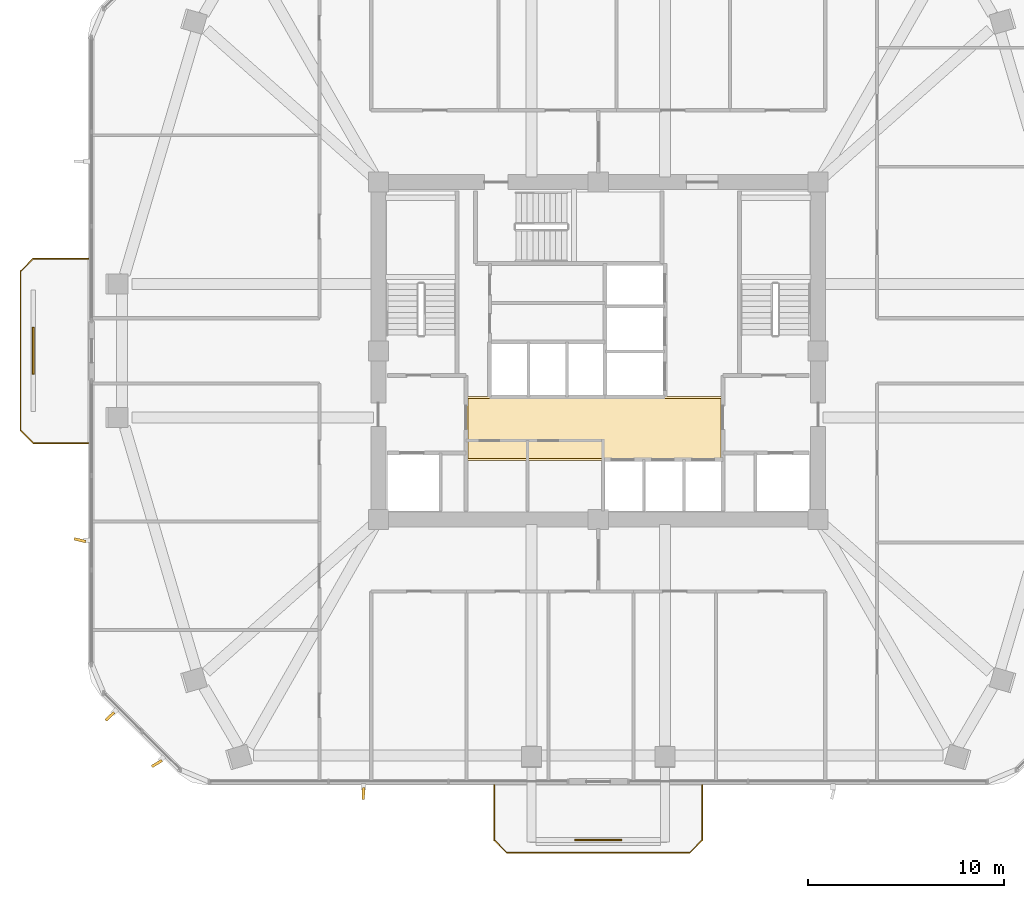
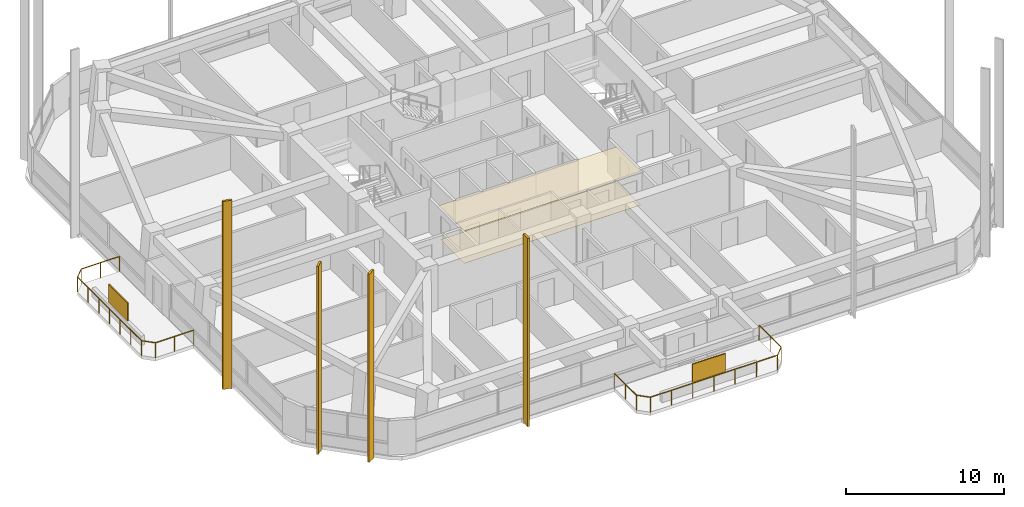
# One storey, part 12 of 15: 6 shading devices, 2 coverings, 2 railings.
"""IFC4 building model written with IfcOpenShell, lengths in metres."""

from ifc_helpers import new_model, si_unit, derived_unit, direction, frame, origin, origin_2d, place, context, subcontext, project, spatial, polyline, rectangle, outline, extrude, material, layer, layer_set, type_object, element, save


model = new_model("IFC4")

# Units and contexts
model_context = context("Model", 3, precision=1e-05, world=origin(), true_north=direction((0.0, 1.0)))
body_context = subcontext(model_context, "Body", "Model", "MODEL_VIEW")
ifc_project = project(units=[si_unit("LENGTHUNIT", "METRE"), si_unit("AREAUNIT", "SQUARE_METRE"), si_unit("VOLUMEUNIT", "CUBIC_METRE"), si_unit("PLANEANGLEUNIT", "RADIAN"), si_unit("MASSUNIT", "GRAM", prefix="KILO"), derived_unit("THERMALTRANSMITTANCEUNIT", [(si_unit("POWERUNIT", "WATT"), 1), (si_unit("LENGTHUNIT", "METRE"), -2), (si_unit("THERMODYNAMICTEMPERATUREUNIT", "KELVIN"), -1)])], contexts=[model_context])

# Site, building, storey
site_placement = place(None, origin())
site = spatial("IfcSite", under=ifc_project, at=site_placement, CompositionType="ELEMENT")
building_placement = place(site_placement, origin())
building = spatial("IfcBuilding", under=site, at=building_placement, Name="Koralith Skygarden Medical Center", CompositionType="ELEMENT")
storey_placement = place(building_placement, frame((0.0, 0.0, 99.179931640625)))
storey = spatial("IfcBuildingStorey", under=building, at=storey_placement, Name="L25", CompositionType="ELEMENT", Elevation=99.179931640625)

# Covering
ifc_material_1 = material(Name="Acoustic Mineral Tile")
ifc_layer_1 = layer(ifc_material_1, 0.02001953125)
ifc_layer_set_1 = layer_set([ifc_layer_1], Name="Acoustic Mineral Tile")
covering_type_1 = type_object("IfcCoveringType", Name="Acoustic Hygienic Mineral Ceiling 20", PredefinedType="CEILING", material=ifc_layer_set_1)
covering_1_placement = place(storey_placement, frame((0.0, 0.0, 2.5849609375)))
element("IfcCovering", 1, at=covering_1_placement, inside=storey, type_object=covering_type_1, Name="L25 Core Lobby Acoustic Ceiling", PredefinedType="CEILING", context=body_context, shape_type="SweptSolid", body=[
    extrude(outline(polyline([(30.25, 20.320068359375), (43.35009765625, 20.320068359375), (43.35009765625, 23.56005859375), (30.25, 23.56005859375), (30.25, 20.320068359375)])), origin(), (0.0, 0.0, 1.0), 0.02001953125),
])

# Shading devices
ifc_material_2 = material(Name="Aluminium 6063-T6", Category="aluminium")
shading_device_type_1 = type_object("IfcShadingDeviceType", Name="Limestone-Clad Solar Storm Fin 600", PredefinedType="USERDEFINED", material=ifc_material_2)
for number, where, z_axis, x_axis, name in (
    (2, (25.033935546875, 3.344970703125, -0.2001953125), (0.0, 0.0, 1.0), (-0.035841384727, -0.999357491162, 0.0), "L25 S Harmonic Solar Storm Fin 1"),
    (3, (10.5869140625, 16.2490234375, -0.2001953125), (0.0, 0.0, 1.0), (-0.970925750445, 0.239380841177, 0.0), "L25 W Harmonic Solar Storm Fin 2"),
    (4, (12.111083984375, 7.26708984375, -0.2001953125), (0.0, 0.0, 1.0), (-0.731996145018, -0.681308772642, 0.0), "L25 SW Harmonic Solar Storm Fin 1"),
    (5, (14.509033203125, 4.868896484375, -0.2001953125), (0.0, 0.0, 1.0), (-0.855815998251, -0.517280366086, 0.0), "L25 SW Harmonic Solar Storm Fin 2"),
):
    element("IfcShadingDevice", number, at=place(storey_placement, frame(where, z_axis=z_axis, x_axis=x_axis)), inside=storey, type_object=shading_device_type_1, Name=name, ObjectType="SOLAR FIN", PredefinedType="USERDEFINED", context=body_context, shape_type="SweptSolid", body=[
        extrude(rectangle(XDim=0.60009765625, YDim=0.139892578125, at=origin_2d()), origin(), (0.0, 0.0, 1.0), 14.550048828125),
    ])

# Railings
ifc_material_3 = material(Name="Steel ASTM A500 Grade C", Category="steel")
railing_type = type_object("IfcRailingType", Name="Outdoor Terrace & Balcony Safety Guardrail 1180", PredefinedType="GUARDRAIL", material=ifc_material_3)
railing_1_placement = place(storey_placement, frame((31.699951171875, 3.764892578125, 0.0)))
element("IfcRailing", 6, at=railing_1_placement, inside=storey, type_object=railing_type, Name="L25 S Balcony Perimeter Guardrail", PredefinedType="GUARDRAIL", context=body_context, shape_type="SweptSolid", body=[
    extrude(rectangle(XDim=0.050048828125, YDim=0.050048828125, at=origin_2d()), frame((0.0, -0.001953125, 1.15478515625), z_axis=(0.0, -1.0, 0.0), x_axis=(1.0, 0.0, 0.0)), (0.0, 0.0, 1.0), 2.7958984375),
    extrude(rectangle(XDim=0.050048828125, YDim=0.050048828125, at=origin_2d()), frame((0.00146484375, -2.80126953125, 1.15478515625), z_axis=(0.707106781187, -0.707106781187, 0.0), x_axis=(0.707106781187, 0.707106781187, 0.0)), (0.0, 0.0, 1.0), 0.91552734375),
    extrude(rectangle(XDim=0.050048828125, YDim=0.050048828125, at=origin_2d()), frame((0.652099609375, -3.449951171875, 1.15478515625), z_axis=(1.0, 0.0, 0.0), x_axis=(0.0, 1.0, 0.0)), (0.0, 0.0, 1.0), 9.2958984375),
    extrude(rectangle(XDim=0.050048828125, YDim=0.050048828125, at=origin_2d()), frame((9.951416015625, -3.448486328125, 1.15478515625), z_axis=(0.707106781187, 0.707106781187, 0.0), x_axis=(-0.707106781187, 0.707106781187, 0.0)), (0.0, 0.0, 1.0), 0.91552734375),
    extrude(rectangle(XDim=0.050048828125, YDim=0.050048828125, at=origin_2d()), frame((10.60009765625, -2.7978515625, 1.15478515625), z_axis=(0.0, 1.0, 0.0), x_axis=(-1.0, 0.0, 0.0)), (0.0, 0.0, 1.0), 2.7958984375),
    extrude(rectangle(XDim=0.0419921875, YDim=0.0419921875, at=origin_2d()), origin(), (0.0, 0.0, 1.0), 1.1279296875),
    extrude(rectangle(XDim=0.0419921875, YDim=0.0419921875, at=origin_2d()), frame((0.0, -1.39990234375, 0.0)), (0.0, 0.0, 1.0), 1.1279296875),
    extrude(rectangle(XDim=0.0419921875, YDim=0.0419921875, at=origin_2d()), frame((0.0, -2.7998046875, 0.0)), (0.0, 0.0, 1.0), 1.1279296875),
    extrude(rectangle(XDim=0.0419921875, YDim=0.0419921875, at=origin_2d()), frame((0.650146484375, -3.449951171875, 0.0)), (0.0, 0.0, 1.0), 1.1279296875),
    extrude(rectangle(XDim=0.0419921875, YDim=0.0419921875, at=origin_2d()), frame((2.2001953125, -3.449951171875, 0.0)), (0.0, 0.0, 1.0), 1.1279296875),
    extrude(rectangle(XDim=0.0419921875, YDim=0.0419921875, at=origin_2d()), frame((3.75, -3.449951171875, 0.0)), (0.0, 0.0, 1.0), 1.1279296875),
    extrude(rectangle(XDim=0.0419921875, YDim=0.0419921875, at=origin_2d()), frame((5.300048828125, -3.449951171875, 0.0)), (0.0, 0.0, 1.0), 1.1279296875),
    extrude(rectangle(XDim=0.0419921875, YDim=0.0419921875, at=origin_2d()), frame((6.85009765625, -3.449951171875, 0.0)), (0.0, 0.0, 1.0), 1.1279296875),
    extrude(rectangle(XDim=0.0419921875, YDim=0.0419921875, at=origin_2d()), frame((8.39990234375, -3.449951171875, 0.0)), (0.0, 0.0, 1.0), 1.1279296875),
    extrude(rectangle(XDim=0.0419921875, YDim=0.0419921875, at=origin_2d()), frame((9.949951171875, -3.449951171875, 0.0)), (0.0, 0.0, 1.0), 1.1279296875),
    extrude(rectangle(XDim=0.0419921875, YDim=0.0419921875, at=origin_2d()), frame((10.60009765625, -2.7998046875, 0.0)), (0.0, 0.0, 1.0), 1.1279296875),
    extrude(rectangle(XDim=0.0419921875, YDim=0.0419921875, at=origin_2d()), frame((10.60009765625, -1.39990234375, 0.0)), (0.0, 0.0, 1.0), 1.1279296875),
    extrude(rectangle(XDim=0.0419921875, YDim=0.0419921875, at=origin_2d()), frame((10.60009765625, 0.0, 0.0)), (0.0, 0.0, 1.0), 1.1279296875),
])
railing_2_placement = place(storey_placement, frame((11.007080078125, 21.199951171875, 0.0)))
element("IfcRailing", 7, at=railing_2_placement, inside=storey, type_object=railing_type, Name="L25 W Balcony Perimeter Guardrail", PredefinedType="GUARDRAIL", context=body_context, shape_type="SweptSolid", body=[
    extrude(rectangle(XDim=0.050048828125, YDim=0.050048828125, at=origin_2d()), frame((-0.001953125, 0.0, 1.15478515625), z_axis=(-1.0, 0.0, 0.0), x_axis=(0.0, -1.0, 0.0)), (0.0, 0.0, 1.0), 2.796142578125),
    extrude(rectangle(XDim=0.050048828125, YDim=0.050048828125, at=origin_2d()), frame((-2.801513671875, 0.00146484375, 1.15478515625), z_axis=(-0.707106781187, 0.707106781187, 0.0), x_axis=(-0.707106781187, -0.707106781187, 0.0)), (0.0, 0.0, 1.0), 0.91552734375),
    extrude(rectangle(XDim=0.050048828125, YDim=0.050048828125, at=origin_2d()), frame((-3.4501953125, 0.652099609375, 1.15478515625), z_axis=(0.0, 1.0, 0.0), x_axis=(-1.0, 0.0, 0.0)), (0.0, 0.0, 1.0), 8.095947265625),
    extrude(rectangle(XDim=0.050048828125, YDim=0.050048828125, at=origin_2d()), frame((-3.44873046875, 8.75146484375, 1.15478515625), z_axis=(0.707106781187, 0.707106781187, 0.0), x_axis=(-0.707106781187, 0.707106781187, 0.0)), (0.0, 0.0, 1.0), 0.91552734375),
    extrude(rectangle(XDim=0.050048828125, YDim=0.050048828125, at=origin_2d()), frame((-2.798095703125, 9.400146484375, 1.15478515625), z_axis=(1.0, 0.0, 0.0), x_axis=(0.0, 1.0, 0.0)), (0.0, 0.0, 1.0), 2.796142578125),
    extrude(rectangle(XDim=0.0419921875, YDim=0.0419921875, at=origin_2d()), origin(), (0.0, 0.0, 1.0), 1.1279296875),
    extrude(rectangle(XDim=0.0419921875, YDim=0.0419921875, at=origin_2d()), frame((-1.39990234375, 0.0, 0.0)), (0.0, 0.0, 1.0), 1.1279296875),
    extrude(rectangle(XDim=0.0419921875, YDim=0.0419921875, at=origin_2d()), frame((-2.800048828125, 0.0, 0.0)), (0.0, 0.0, 1.0), 1.1279296875),
    extrude(rectangle(XDim=0.0419921875, YDim=0.0419921875, at=origin_2d()), frame((-3.4501953125, 0.650146484375, 0.0)), (0.0, 0.0, 1.0), 1.1279296875),
    extrude(rectangle(XDim=0.0419921875, YDim=0.0419921875, at=origin_2d()), frame((-3.4501953125, 2.0, 0.0)), (0.0, 0.0, 1.0), 1.1279296875),
    extrude(rectangle(XDim=0.0419921875, YDim=0.0419921875, at=origin_2d()), frame((-3.4501953125, 3.35009765625, 0.0)), (0.0, 0.0, 1.0), 1.1279296875),
    extrude(rectangle(XDim=0.0419921875, YDim=0.0419921875, at=origin_2d()), frame((-3.4501953125, 4.7001953125, 0.0)), (0.0, 0.0, 1.0), 1.1279296875),
    extrude(rectangle(XDim=0.0419921875, YDim=0.0419921875, at=origin_2d()), frame((-3.4501953125, 6.050048828125, 0.0)), (0.0, 0.0, 1.0), 1.1279296875),
    extrude(rectangle(XDim=0.0419921875, YDim=0.0419921875, at=origin_2d()), frame((-3.4501953125, 7.39990234375, 0.0)), (0.0, 0.0, 1.0), 1.1279296875),
    extrude(rectangle(XDim=0.0419921875, YDim=0.0419921875, at=origin_2d()), frame((-3.4501953125, 8.75, 0.0)), (0.0, 0.0, 1.0), 1.1279296875),
    extrude(rectangle(XDim=0.0419921875, YDim=0.0419921875, at=origin_2d()), frame((-2.800048828125, 9.400146484375, 0.0)), (0.0, 0.0, 1.0), 1.1279296875),
    extrude(rectangle(XDim=0.0419921875, YDim=0.0419921875, at=origin_2d()), frame((-1.39990234375, 9.400146484375, 0.0)), (0.0, 0.0, 1.0), 1.1279296875),
    extrude(rectangle(XDim=0.0419921875, YDim=0.0419921875, at=origin_2d()), frame((0.0, 9.400146484375, 0.0)), (0.0, 0.0, 1.0), 1.1279296875),
])

# Shading devices
ifc_layer_2 = layer(ifc_material_2, 0.080078125)
ifc_layer_set_2 = layer_set([ifc_layer_2], Name="Aluminium 6063-T6")
shading_device_type_2 = type_object("IfcShadingDeviceType", Name="Perforated Biophilic Balcony Trellis Screen", PredefinedType="USERDEFINED", material=ifc_layer_set_2)
for number, where, z_axis, x_axis, name in (
    (8, (37.0, 0.965087890625, 0.72021484375), (0.0, 0.0, 1.0), (1.0, 0.0, 0.0), "L25 S Biophilic Balcony Trellis Screen"),
    (9, (8.20703125, 25.89990234375, 0.72021484375), (0.0, 0.0, 1.0), (0.0, 1.0, 0.0), "L25 W Biophilic Balcony Trellis Screen"),
):
    element("IfcShadingDevice", number, at=place(storey_placement, frame(where, z_axis=z_axis, x_axis=x_axis)), inside=storey, type_object=shading_device_type_2, Name=name, ObjectType="HURRICANE SCREEN", PredefinedType="USERDEFINED", context=body_context, shape_type="SweptSolid", body=[
        extrude(rectangle(XDim=2.39990234375, YDim=0.080078125, at=origin_2d()), origin(), (0.0, 0.0, 1.0), 1.39990234375),
    ])

# Covering
ifc_material_4 = material(Name="Medical Terrazzo Flooring")
ifc_layer_3 = layer(ifc_material_4, 0.014892578125)
ifc_layer_set_3 = layer_set([ifc_layer_3], Name="Medical Terrazzo Flooring")
covering_type_2 = type_object("IfcCoveringType", Name="Seamless Antimicrobial Terrazzo Flooring 15", PredefinedType="FLOORING", material=ifc_layer_set_3)
covering_2_placement = place(storey_placement, origin())
element("IfcCovering", 10, at=covering_2_placement, inside=storey, type_object=covering_type_2, Name="L25 Core Lobby Terrazzo Flooring", PredefinedType="FLOORING", context=body_context, shape_type="SweptSolid", body=[
    extrude(outline(polyline([(30.35009765625, 20.419921875), (43.25, 20.419921875), (43.25, 23.4599609375), (30.35009765625, 23.4599609375), (30.35009765625, 20.419921875)])), origin(), (0.0, 0.0, 1.0), 0.01513671875),
])

save(model, "model.ifc")
